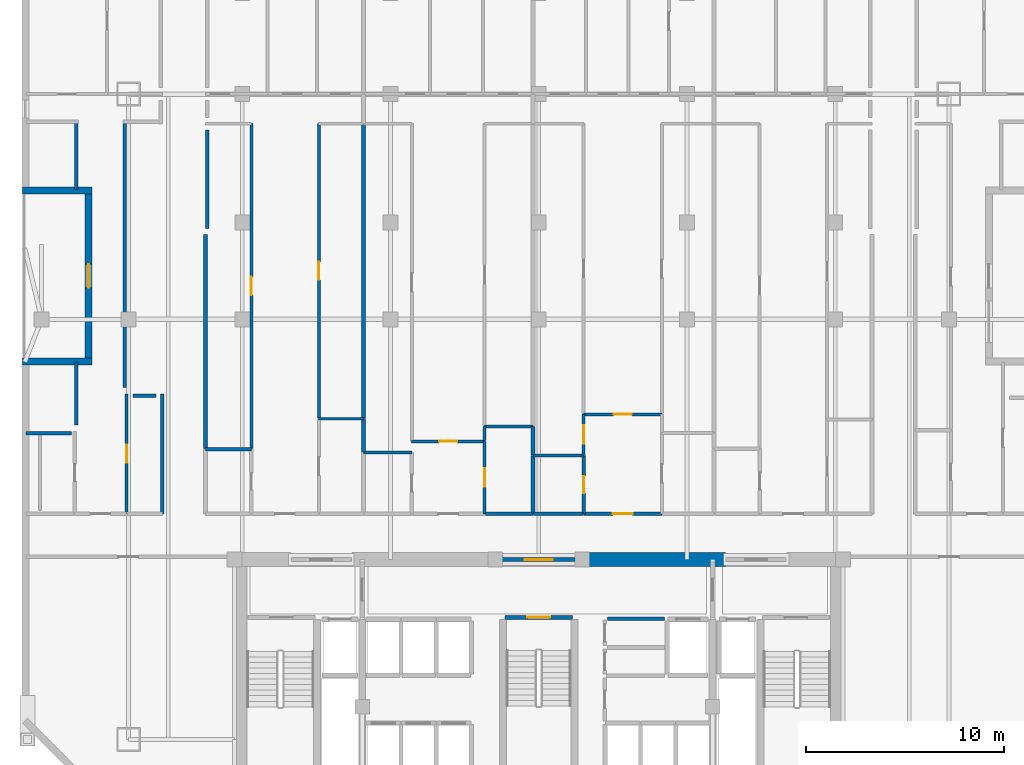
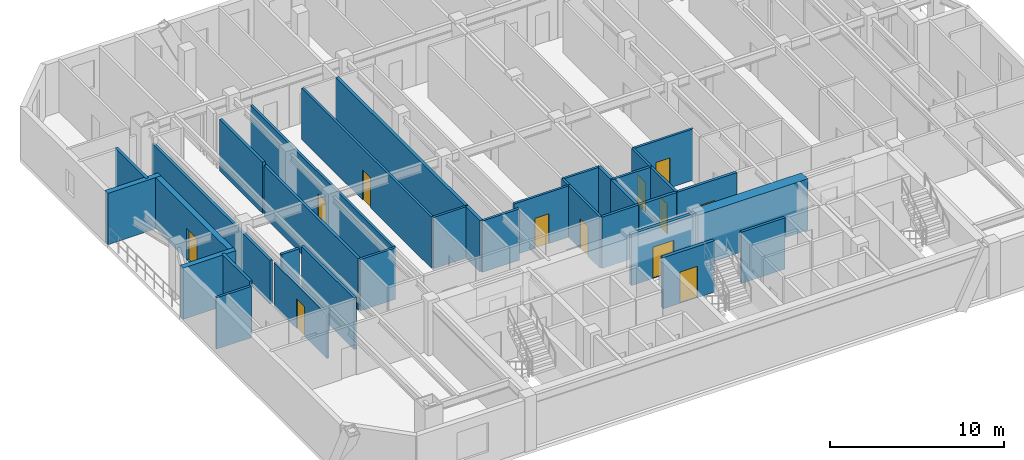
# One storey, part 4 of 11: 36 walls, 12 doors, 12 openings.
"""IFC4 building model written with IfcOpenShell, lengths in metres."""

from ifc_helpers import new_model, si_unit, direction, frame, frame_2d, origin, place, context, subcontext, project, spatial, rectangle, extrude, material, layer, layer_set, type_object, element, fill, save


model = new_model("IFC4")

# Units and contexts
model_context = context("Model", 3, precision=1e-05, world=origin(), true_north=direction((0.0, 1.0)))
body_context = subcontext(model_context, "Body", "Model", "MODEL_VIEW")
ifc_project = project(units=[si_unit("LENGTHUNIT", "METRE"), si_unit("AREAUNIT", "SQUARE_METRE"), si_unit("VOLUMEUNIT", "CUBIC_METRE"), si_unit("PLANEANGLEUNIT", "RADIAN"), si_unit("MASSUNIT", "GRAM", prefix="KILO")], contexts=[model_context])

# Site, building, storey
site_placement = place(None, origin())
site = spatial("IfcSite", under=ifc_project, at=site_placement, CompositionType="ELEMENT")
building_placement = place(site_placement, origin())
building = spatial("IfcBuilding", under=site, at=building_placement, Name="Ventersveld Concourse Tower", CompositionType="ELEMENT")
storey_placement = place(building_placement, frame((0.0, 0.0, 119.550048828125)))
storey = spatial("IfcBuildingStorey", under=building, at=storey_placement, Name="L29", CompositionType="ELEMENT", Elevation=119.550048828125)

# Walls
ifc_material_1 = material(Name="Concrete C60/75", Category="concrete")
ifc_layer_1 = layer(ifc_material_1, 0.699951171875)
ifc_layer_set_1 = layer_set([ifc_layer_1], Name="Concrete C60/75")
wall_type_1 = type_object("IfcWallType", Name="WL-CORE-700", PredefinedType="SHEAR", material=ifc_layer_set_1)
wall_1_placement = place(storey_placement, frame((30.89990234375, 11.449951171875, 0.0), z_axis=(0.0, 0.0, 1.0), x_axis=(1.0, 0.0, 0.0)))
element("IfcWall", 1, at=wall_1_placement, inside=storey, type_object=wall_type_1, Name="L29 Rear Core North Shear Wall NMR", PredefinedType="SHEAR", context=body_context, shape_type="SweptSolid", body=[
    extrude(rectangle(XDim=7.300048828125, YDim=0.699951171875, at=frame_2d((3.64990234375, 0.0))), origin(), (0.0, 0.0, 1.0), 3.599853515625),
])
ifc_material_2 = material(Name="Fire-rated autoclaved aerated masonry blockwork", Category="masonry")
ifc_layer_2 = layer(ifc_material_2, 0.179931640625)
ifc_layer_set_2 = layer_set([ifc_layer_2], Name="Fire-rated autoclaved aerated masonry blockwork")
wall_type_2 = type_object("IfcWallType", Name="WL-CORR-180", PredefinedType="PARTITIONING", material=ifc_layer_set_2)
wall_2_placement = place(storey_placement, frame((32.219970703125, 8.4599609375, 0.0), z_axis=(0.0, 0.0, 1.0), x_axis=(1.0, 0.0, 0.0)))
element("IfcWall", 2, at=wall_2_placement, inside=storey, type_object=wall_type_2, Name="L29 Core Top Wall SP-L29-CBAY1N", PredefinedType="PARTITIONING", context=body_context, shape_type="SweptSolid", body=[
    extrude(rectangle(XDim=2.880126953125, YDim=0.179931640625, at=frame_2d((1.43994140625, 0.0))), origin(), (0.0, 0.0, 1.0), 3.599853515625),
])
wall_3_placement = place(storey_placement, frame((9.7099609375, 13.764892578125, 0.0), z_axis=(0.0, 0.0, 1.0), x_axis=(0.0, 1.0, 0.0)))
element("IfcWall", 3, at=wall_3_placement, inside=storey, type_object=wall_type_2, Name="L29 Interior Partition SP-L29-COR-SP-L29-29NW-KIT", PredefinedType="PARTITIONING", context=body_context, shape_type="SweptSolid", body=[
    extrude(rectangle(XDim=6.064208984375, YDim=0.179931640625, at=frame_2d((3.0322265625, 0.0))), origin(), (0.0, 0.0, 1.0), 3.599853515625),
])
wall_4_placement = place(storey_placement, frame((11.889892578125, 17.067626953125, 0.0), z_axis=(0.0, 0.0, 1.0), x_axis=(0.0, 1.0, 0.0)))
element("IfcWall", 4, at=wall_4_placement, inside=storey, type_object=wall_type_2, Name="L29 Interior Partition SP-L29-COR-SP-L29-29N1-OFFL0", PredefinedType="PARTITIONING", context=body_context, shape_type="SweptSolid", body=[
    extrude(rectangle(XDim=10.827392578125, YDim=0.179931640625, at=frame_2d((5.41357421875, 0.0))), origin(), (0.0, 0.0, 1.0), 3.599853515625),
])
wall_5_placement = place(storey_placement, frame((26.0439453125, 13.77001953125, 0.0), z_axis=(0.0, 0.0, 1.0), x_axis=(1.0, 0.0, 0.0)))
element("IfcWall", 5, at=wall_5_placement, inside=storey, type_object=wall_type_2, Name="L29 Interior Partition SP-L29-COR-SP-L29-29N2-KIT", PredefinedType="PARTITIONING", context=body_context, shape_type="SweptSolid", body=[
    extrude(rectangle(XDim=2.417236328125, YDim=0.179931640625, at=frame_2d((1.20849609375, 0.0))), origin(), (0.0, 0.0, 1.0), 3.599853515625),
])

# Wall, opening, door
wall_6_placement = place(storey_placement, frame((31.01953125, 13.77001953125, 0.0), z_axis=(0.0, 0.0, 1.0), x_axis=(1.0, 0.0, 0.0)))
wall_6 = element("IfcWall", 6, at=wall_6_placement, inside=storey, type_object=wall_type_2, Name="L29 Interior Partition SP-L29-COR-SP-L29-29N3-FOY", PredefinedType="PARTITIONING", context=body_context, shape_type="SweptSolid", body=[
    extrude(rectangle(XDim=3.963134765625, YDim=0.179931640625, at=frame_2d((1.9814453125, 0.0))), origin(), (0.0, 0.0, 1.0), 3.599853515625),
])
opening_1_placement = place(wall_6_placement, frame((1.4814453125, 0.0, 0.0)))
opening_1 = element("IfcOpeningElement", 7, at=opening_1_placement, cuts=wall_6, Name="Opening FD3", PredefinedType="OPENING", context=body_context, shape_type="SweptSolid", body=[
    extrude(rectangle(XDim=1.0, YDim=2.14990234375, at=frame_2d((0.5, 1.074951171875))), frame((0.0, 0.10009765625, 0.0), z_axis=(0.0, -1.0, 0.0), x_axis=(1.0, 0.0, 0.0)), (0.0, 0.0, 1.0), 0.199951171875),
])
ifc_material_3 = material(Name="Solid-core hardwood veneer timber", Category="wood")
door_type_1 = type_object("IfcDoorType", Name="DR-FLAT-100", OperationType="NOTDEFINED", PredefinedType="DOOR", material=ifc_material_3)
door_1_placement = place(opening_1_placement, origin())
door_1 = element("IfcDoor", 8, at=door_1_placement, inside=storey, type_object=door_type_1, Name="L29 Interior Door SP-L29-COR to SP-L29-29N3-FOY (FD-L29-1436)", OperationType="SINGLE_SWING_RIGHT", OverallHeight=2.14990234375, OverallWidth=1.0, PredefinedType="DOOR", context=body_context, shape_type="SweptSolid", body=[
    extrude(rectangle(XDim=1.0, YDim=2.14990234375, at=frame_2d((0.5, 1.074951171875))), frame((0.0, 0.02490234375, 0.0), z_axis=(0.0, -1.0, 0.0), x_axis=(1.0, 0.0, 0.0)), (0.0, 0.0, 1.0), 0.050048828125),
])
fill(opening_1, door_1)

# Walls
wall_7_placement = place(storey_placement, frame((28.4912109375, 13.77001953125, 0.0), z_axis=(0.0, 0.0, 1.0), x_axis=(1.0, 0.0, 0.0)))
element("IfcWall", 9, at=wall_7_placement, inside=storey, type_object=wall_type_2, Name="L29 Interior Partition SP-L29-COR-SP-L29-29N3-BATH", PredefinedType="PARTITIONING", context=body_context, shape_type="SweptSolid", body=[
    extrude(rectangle(XDim=2.498291015625, YDim=0.179931640625, at=frame_2d((1.2490234375, 0.0))), origin(), (0.0, 0.0, 1.0), 3.599853515625),
])
wall_8_placement = place(storey_placement, frame((5.359619140625, 18.24658203125, 0.0), z_axis=(0.0, 0.0, 1.0), x_axis=(0.0, 1.0, 0.0)))
element("IfcWall", 10, at=wall_8_placement, inside=storey, type_object=wall_type_2, Name="L29 Room Enclosure Wall SP-L29-29NW-LIV", PredefinedType="PARTITIONING", context=body_context, shape_type="SweptSolid", body=[
    extrude(rectangle(XDim=3.193359375, YDim=0.179931640625, at=frame_2d((1.5966796875, 0.0))), origin(), (0.0, 0.0, 1.0), 3.599853515625),
])
wall_9_placement = place(storey_placement, frame((5.359619140625, 30.159912109375, 0.0), z_axis=(0.0, 0.0, 1.0), x_axis=(0.0, 1.0, 0.0)))
element("IfcWall", 11, at=wall_9_placement, inside=storey, type_object=wall_type_2, Name="L29 Room Enclosure Wall SP-L29-29NW-LIV", PredefinedType="PARTITIONING", context=body_context, shape_type="SweptSolid", body=[
    extrude(rectangle(XDim=3.525146484375, YDim=0.179931640625, at=frame_2d((1.7626953125, 0.0))), origin(), (0.0, 0.0, 1.0), 3.599853515625),
])
wall_10_placement = place(storey_placement, frame((7.8056640625, 33.68505859375, 0.0), z_axis=(0.0, 0.0, 1.0), x_axis=(0.0, -1.0, 0.0)))
element("IfcWall", 12, at=wall_10_placement, inside=storey, type_object=wall_type_2, Name="L29 Room Enclosure Wall SP-L29-29NW-LIV", PredefinedType="PARTITIONING", context=body_context, shape_type="SweptSolid", body=[
    extrude(rectangle(XDim=13.541015625, YDim=0.179931640625, at=frame_2d((6.7705078125, 0.0))), origin(), (0.0, 0.0, 1.0), 3.055419921875),
])
wall_11_placement = place(storey_placement, frame((8.220703125, 19.734130859375, 0.0), z_axis=(0.0, 0.0, 1.0), x_axis=(1.0, 0.0, 0.0)))
element("IfcWall", 13, at=wall_11_placement, inside=storey, type_object=wall_type_2, Name="L29 Room Enclosure Wall SP-L29-29NW-KIT", PredefinedType="PARTITIONING", context=body_context, shape_type="SweptSolid", body=[
    extrude(rectangle(XDim=1.164306640625, YDim=0.179931640625, at=frame_2d((0.58203125, 0.0))), origin(), (0.0, 0.0, 1.0), 3.599853515625),
])
wall_12_placement = place(storey_placement, frame((11.97998046875, 28.2099609375, 0.0), z_axis=(0.0, 0.0, 1.0), x_axis=(0.0, 1.0, 0.0)))
element("IfcWall", 14, at=wall_12_placement, inside=storey, type_object=wall_type_2, Name="L29 Room Enclosure Wall SP-L29-29N1-OFFL0", PredefinedType="PARTITIONING", context=body_context, shape_type="SweptSolid", body=[
    extrude(rectangle(XDim=4.965087890625, YDim=0.179931640625, at=frame_2d((2.482421875, 0.0))), origin(), (0.0, 0.0, 1.0), 3.599853515625),
])
ifc_layer_3 = layer(ifc_material_2, 0.199951171875)
ifc_layer_set_3 = layer_set([ifc_layer_3], Name="Fire-rated autoclaved aerated masonry blockwork")
wall_type_3 = type_object("IfcWallType", Name="WL-DEMISE-200", PredefinedType="PARTITIONING", material=ifc_layer_set_3)
wall_13_placement = place(storey_placement, frame((19.879150390625, 16.89599609375, 0.0), z_axis=(0.0, 0.0, 1.0), x_axis=(0.0, 1.0, 0.0)))
element("IfcWall", 15, at=wall_13_placement, inside=storey, type_object=wall_type_3, Name="L29 Interior Partition SP-L29-29N1-KIT-SP-L29-29N2-MEDL0", PredefinedType="PARTITIONING", context=body_context, shape_type="SweptSolid", body=[
    extrude(rectangle(XDim=1.683349609375, YDim=0.199951171875, at=frame_2d((0.841796875, 0.0))), origin(), (0.0, 0.0, 1.0), 3.599853515625),
])
wall_14_placement = place(storey_placement, frame((19.879150390625, 18.609375, 0.0), z_axis=(0.0, 0.0, 1.0), x_axis=(0.0, 1.0, 0.0)))
element("IfcWall", 16, at=wall_14_placement, inside=storey, type_object=wall_type_3, Name="L29 Interior Partition SP-L29-29N1-DENR-SP-L29-29N2-MEDL0", PredefinedType="PARTITIONING", context=body_context, shape_type="SweptSolid", body=[
    extrude(rectangle(XDim=14.855712890625, YDim=0.199951171875, at=frame_2d((7.427734375, 0.0))), origin(), (0.0, 0.0, 1.0), 3.599853515625),
])
wall_15_placement = place(storey_placement, frame((28.4560546875, 13.764892578125, 0.0), z_axis=(0.0, 0.0, 1.0), x_axis=(0.0, 1.0, 0.0)))
element("IfcWall", 17, at=wall_15_placement, inside=storey, type_object=wall_type_3, Name="L29 Interior Partition SP-L29-29N2-KIT-SP-L29-29N3-BATH", PredefinedType="PARTITIONING", context=body_context, shape_type="SweptSolid", body=[
    extrude(rectangle(XDim=2.953369140625, YDim=0.199951171875, at=frame_2d((1.4765625, 0.0))), origin(), (0.0, 0.0, 1.0), 3.599853515625),
])
wall_16_placement = place(storey_placement, frame((28.4560546875, 16.748291015625, 0.0), z_axis=(0.0, 0.0, 1.0), x_axis=(0.0, 1.0, 0.0)))
element("IfcWall", 18, at=wall_16_placement, inside=storey, type_object=wall_type_3, Name="L29 Interior Partition SP-L29-29N2-KIT-SP-L29-29N3-MEDL0", PredefinedType="PARTITIONING", context=body_context, shape_type="SweptSolid", body=[
    extrude(rectangle(XDim=1.441162109375, YDim=0.199951171875, at=frame_2d((0.720703125, 0.0))), origin(), (0.0, 0.0, 1.0), 3.599853515625),
])

# Wall, opening, door
ifc_layer_4 = layer(ifc_material_2, 0.219970703125)
ifc_layer_set_4 = layer_set([ifc_layer_4], Name="Fire-rated autoclaved aerated masonry blockwork")
wall_type_4 = type_object("IfcWallType", Name="WL-HOIST-220", PredefinedType="SOLIDWALL", material=ifc_layer_set_4)
wall_17_placement = place(storey_placement, frame((27.0400390625, 8.52001953125, 0.0), z_axis=(0.0, 0.0, 1.0), x_axis=(1.0, 0.0, 0.0)))
wall_17 = element("IfcWall", 19, at=wall_17_placement, inside=storey, type_object=wall_type_4, Name="L29 Escape Stair ST03 Fire Wall", PredefinedType="SOLIDWALL", context=body_context, shape_type="SweptSolid", body=[
    extrude(rectangle(XDim=3.419921875, YDim=0.219970703125, at=frame_2d((1.7099609375, 0.0))), origin(), (0.0, 0.0, 1.0), 3.599853515625),
])
opening_2_placement = place(wall_17_placement, frame((1.135009765625, 0.0, 0.0)))
opening_2 = element("IfcOpeningElement", 20, at=opening_2_placement, cuts=wall_17, Name="Opening FD1", PredefinedType="OPENING", context=body_context, shape_type="SweptSolid", body=[
    extrude(rectangle(XDim=1.14990234375, YDim=2.199951171875, at=frame_2d((0.574951171875, 1.10009765625))), frame((0.0, 0.1201171875, 0.0), z_axis=(0.0, -1.0, 0.0), x_axis=(1.0, 0.0, 0.0)), (0.0, 0.0, 1.0), 0.239990234375),
])
ifc_material_4 = material(Name="Galvanised painted steel", Category="steel")
door_type_2 = type_object("IfcDoorType", Name="DR-STAIR-115", OperationType="NOTDEFINED", PredefinedType="DOOR", material=ifc_material_4)
door_2_placement = place(opening_2_placement, origin())
door_2 = element("IfcDoor", 21, at=door_2_placement, inside=storey, type_object=door_type_2, Name="L29 Escape Stair Door ST03 (SD-L29-1421)", OperationType="SINGLE_SWING_LEFT", OverallHeight=2.199951171875, OverallWidth=1.14990234375, PredefinedType="DOOR", context=body_context, shape_type="SweptSolid", body=[
    extrude(rectangle(XDim=1.14990234375, YDim=2.199951171875, at=frame_2d((0.574951171875, 1.10009765625))), frame((0.0, 0.02490234375, 0.0), z_axis=(0.0, -1.0, 0.0), x_axis=(1.0, 0.0, 0.0)), (0.0, 0.0, 1.0), 0.050048828125),
])
fill(opening_2, door_2)

wall_18_placement = place(storey_placement, frame((26.6298828125, 11.449951171875, 0.0), z_axis=(0.0, 0.0, 1.0), x_axis=(1.0, 0.0, 0.0)))
wall_18 = element("IfcWall", 22, at=wall_18_placement, inside=storey, type_object=wall_type_4, Name="L29 Core North Fire Portal PLOB-OUT", PredefinedType="SOLIDWALL", context=body_context, shape_type="SweptSolid", body=[
    extrude(rectangle(XDim=4.240234375, YDim=0.219970703125, at=frame_2d((2.1201171875, 0.0))), origin(), (0.0, 0.0, 1.0), 3.599853515625),
])
opening_3_placement = place(wall_18_placement, frame((1.419921875, 0.0, 0.0)))
opening_3 = element("IfcOpeningElement", 23, at=opening_3_placement, cuts=wall_18, Name="Opening FD4", PredefinedType="OPENING", context=body_context, shape_type="SweptSolid", body=[
    extrude(rectangle(XDim=1.39990234375, YDim=2.199951171875, at=frame_2d((0.699951171875, 1.10009765625))), frame((0.0, 0.1201171875, 0.0), z_axis=(0.0, -1.0, 0.0), x_axis=(1.0, 0.0, 0.0)), (0.0, 0.0, 1.0), 0.239990234375),
])
door_type_3 = type_object("IfcDoorType", Name="DR-PLANT-140", OperationType="DOUBLE_DOOR_SINGLE_SWING", PredefinedType="DOOR", material=ifc_material_4)
door_3_placement = place(opening_3_placement, origin())
door_3 = element("IfcDoor", 24, at=door_3_placement, inside=storey, type_object=door_type_3, Name="L29 Core Lobby Fire Door PLOB-OUT (FD-L29-1425)", OperationType="DOUBLE_DOOR_SINGLE_SWING", OverallHeight=2.199951171875, OverallWidth=1.39990234375, PredefinedType="DOOR", context=body_context, shape_type="SweptSolid", body=[
    extrude(rectangle(XDim=1.39990234375, YDim=2.199951171875, at=frame_2d((0.699951171875, 1.10009765625))), frame((0.0, 0.02490234375, 0.0), z_axis=(0.0, -1.0, 0.0), x_axis=(1.0, 0.0, 0.0)), (0.0, 0.0, 1.0), 0.050048828125),
])
fill(opening_3, door_3)

ifc_material_5 = material(Name="Autoclaved aerated masonry blockwork", Category="masonry")
ifc_layer_5 = layer(ifc_material_5, 0.14990234375)
ifc_layer_set_5 = layer_set([ifc_layer_5], Name="Autoclaved aerated masonry blockwork")
wall_type_5 = type_object("IfcWallType", Name="WL-INT-150", PredefinedType="PARTITIONING", material=ifc_layer_set_5)
wall_19_placement = place(storey_placement, frame((7.895751953125, 13.764892578125, 0.0), z_axis=(0.0, 0.0, 1.0), x_axis=(0.0, 1.0, 0.0)))
wall_19 = element("IfcWall", 25, at=wall_19_placement, inside=storey, type_object=wall_type_5, Name="L29 Interior Partition SP-L29-29NW-LIV-SP-L29-29NW-KIT", PredefinedType="PARTITIONING", context=body_context, shape_type="SweptSolid", body=[
    extrude(rectangle(XDim=6.064208984375, YDim=0.14990234375, at=frame_2d((3.0322265625, 0.0))), origin(), (0.0, 0.0, 1.0), 3.055419921875),
])
opening_4_placement = place(wall_19_placement, frame((2.572021484375, 0.0, 0.0)))
opening_4 = element("IfcOpeningElement", 26, at=opening_4_placement, cuts=wall_19, Name="Opening ID1", PredefinedType="OPENING", context=body_context, shape_type="SweptSolid", body=[
    extrude(rectangle(XDim=0.919921875, YDim=2.10009765625, at=frame_2d((0.4599609375, 1.050048828125))), frame((0.0, 0.0849609375, 0.0), z_axis=(0.0, -1.0, 0.0), x_axis=(1.0, 0.0, 0.0)), (0.0, 0.0, 1.0), 0.169921875),
])
door_type_4 = type_object("IfcDoorType", Name="DR-ROOM-092", OperationType="NOTDEFINED", PredefinedType="DOOR", material=ifc_material_3)
door_4_placement = place(opening_4_placement, origin())
door_4 = element("IfcDoor", 27, at=door_4_placement, inside=storey, type_object=door_type_4, Name="L29 Interior Door SP-L29-29NW-LIV to SP-L29-29NW-KIT (D-L29-1439)", OperationType="SINGLE_SWING_LEFT", OverallHeight=2.10009765625, OverallWidth=0.919921875, PredefinedType="DOOR", context=body_context, shape_type="SweptSolid", body=[
    extrude(rectangle(XDim=0.919921875, YDim=2.10009765625, at=frame_2d((0.4599609375, 1.050048828125))), frame((0.0, 0.02490234375, 0.0), z_axis=(0.0, -1.0, 0.0), x_axis=(1.0, 0.0, 0.0)), (0.0, 0.0, 1.0), 0.050048828125),
])
fill(opening_4, door_4)

wall_20_placement = place(storey_placement, frame((14.2109375, 17.067626953125, 0.0), z_axis=(0.0, 0.0, 1.0), x_axis=(0.0, 1.0, 0.0)))
wall_20 = element("IfcWall", 28, at=wall_20_placement, inside=storey, type_object=wall_type_5, Name="L29 Interior Partition SP-L29-29N1-LIV-SP-L29-29N1-OFFL0", PredefinedType="PARTITIONING", context=body_context, shape_type="SweptSolid", body=[
    extrude(rectangle(XDim=16.437255859375, YDim=0.14990234375, at=frame_2d((8.21875, 0.0))), origin(), (0.0, 0.0, 1.0), 3.599853515625),
])
opening_5_placement = place(wall_20_placement, frame((7.7587890625, 0.0, 0.0)))
opening_5 = element("IfcOpeningElement", 29, at=opening_5_placement, cuts=wall_20, Name="Opening ID1", PredefinedType="OPENING", context=body_context, shape_type="SweptSolid", body=[
    extrude(rectangle(XDim=0.919921875, YDim=2.10009765625, at=frame_2d((0.4599609375, 1.050048828125))), frame((0.0, 0.0849609375, 0.0), z_axis=(0.0, -1.0, 0.0), x_axis=(1.0, 0.0, 0.0)), (0.0, 0.0, 1.0), 0.169921875),
])
door_5_placement = place(opening_5_placement, origin())
door_5 = element("IfcDoor", 30, at=door_5_placement, inside=storey, type_object=door_type_4, Name="L29 Interior Door SP-L29-29N1-LIV to SP-L29-29N1-OFFL0 (D-L29-1448)", OperationType="SINGLE_SWING_RIGHT", OverallHeight=2.10009765625, OverallWidth=0.919921875, PredefinedType="DOOR", context=body_context, shape_type="SweptSolid", body=[
    extrude(rectangle(XDim=0.919921875, YDim=2.10009765625, at=frame_2d((0.4599609375, 1.050048828125))), frame((0.0, 0.02490234375, 0.0), z_axis=(0.0, -1.0, 0.0), x_axis=(1.0, 0.0, 0.0)), (0.0, 0.0, 1.0), 0.050048828125),
])
fill(opening_5, door_5)

wall_21_placement = place(storey_placement, frame((17.623291015625, 18.609375, 0.0), z_axis=(0.0, 0.0, 1.0), x_axis=(0.0, 1.0, 0.0)))
wall_21 = element("IfcWall", 31, at=wall_21_placement, inside=storey, type_object=wall_type_5, Name="L29 Interior Partition SP-L29-29N1-LIV-SP-L29-29N1-DENR", PredefinedType="PARTITIONING", context=body_context, shape_type="SweptSolid", body=[
    extrude(rectangle(XDim=14.8955078125, YDim=0.14990234375, at=frame_2d((7.44775390625, 0.0))), origin(), (0.0, 0.0, 1.0), 3.599853515625),
])
opening_6_placement = place(wall_21_placement, frame((6.98779296875, 0.0, 0.0)))
opening_6 = element("IfcOpeningElement", 32, at=opening_6_placement, cuts=wall_21, Name="Opening ID1", PredefinedType="OPENING", context=body_context, shape_type="SweptSolid", body=[
    extrude(rectangle(XDim=0.919921875, YDim=2.10009765625, at=frame_2d((0.4599609375, 1.050048828125))), frame((0.0, 0.0849609375, 0.0), z_axis=(0.0, -1.0, 0.0), x_axis=(1.0, 0.0, 0.0)), (0.0, 0.0, 1.0), 0.169921875),
])
door_6_placement = place(opening_6_placement, origin())
door_6 = element("IfcDoor", 33, at=door_6_placement, inside=storey, type_object=door_type_4, Name="L29 Interior Door SP-L29-29N1-LIV to SP-L29-29N1-DENR (D-L29-1450)", OperationType="SINGLE_SWING_RIGHT", OverallHeight=2.10009765625, OverallWidth=0.919921875, PredefinedType="DOOR", context=body_context, shape_type="SweptSolid", body=[
    extrude(rectangle(XDim=0.919921875, YDim=2.10009765625, at=frame_2d((0.4599609375, 1.050048828125))), frame((0.0, 0.02490234375, 0.0), z_axis=(0.0, -1.0, 0.0), x_axis=(1.0, 0.0, 0.0)), (0.0, 0.0, 1.0), 0.050048828125),
])
fill(opening_6, door_6)

# Wall
wall_22_placement = place(storey_placement, frame((17.6181640625, 18.57421875, 0.0), z_axis=(0.0, 0.0, 1.0), x_axis=(1.0, 0.0, 0.0)))
element("IfcWall", 34, at=wall_22_placement, inside=storey, type_object=wall_type_5, Name="L29 Interior Partition SP-L29-29N1-KIT-SP-L29-29N1-DENR", PredefinedType="PARTITIONING", context=body_context, shape_type="SweptSolid", body=[
    extrude(rectangle(XDim=2.26611328125, YDim=0.14990234375, at=frame_2d((1.133056640625, 0.0))), origin(), (0.0, 0.0, 1.0), 3.599853515625),
])

# Wall, opening, door
wall_23_placement = place(storey_placement, frame((22.3212890625, 17.430419921875, 0.0), z_axis=(0.0, 0.0, 1.0), x_axis=(1.0, 0.0, 0.0)))
wall_23 = element("IfcWall", 35, at=wall_23_placement, inside=storey, type_object=wall_type_5, Name="L29 Interior Partition SP-L29-29N2-FOY-SP-L29-29N2-LIV", PredefinedType="PARTITIONING", context=body_context, shape_type="SweptSolid", body=[
    extrude(rectangle(XDim=3.692626953125, YDim=0.14990234375, at=frame_2d((1.84619140625, 0.0))), origin(), (0.0, 0.0, 1.0), 3.599853515625),
])
opening_7_placement = place(wall_23_placement, frame((1.38623046875, 0.0, 0.0)))
opening_7 = element("IfcOpeningElement", 36, at=opening_7_placement, cuts=wall_23, Name="Opening ID1", PredefinedType="OPENING", context=body_context, shape_type="SweptSolid", body=[
    extrude(rectangle(XDim=0.919921875, YDim=2.10009765625, at=frame_2d((0.4599609375, 1.050048828125))), frame((0.0, 0.0849609375, 0.0), z_axis=(0.0, -1.0, 0.0), x_axis=(1.0, 0.0, 0.0)), (0.0, 0.0, 1.0), 0.169921875),
])
door_7_placement = place(opening_7_placement, origin())
door_7 = element("IfcDoor", 37, at=door_7_placement, inside=storey, type_object=door_type_4, Name="L29 Interior Door SP-L29-29N2-FOY to SP-L29-29N2-LIV (D-L29-1454)", OperationType="SINGLE_SWING_RIGHT", OverallHeight=2.10009765625, OverallWidth=0.919921875, PredefinedType="DOOR", context=body_context, shape_type="SweptSolid", body=[
    extrude(rectangle(XDim=0.919921875, YDim=2.10009765625, at=frame_2d((0.4599609375, 1.050048828125))), frame((0.0, 0.02490234375, 0.0), z_axis=(0.0, -1.0, 0.0), x_axis=(1.0, 0.0, 0.0)), (0.0, 0.0, 1.0), 0.050048828125),
])
fill(opening_7, door_7)

wall_24_placement = place(storey_placement, frame((26.009033203125, 13.764892578125, 0.0), z_axis=(0.0, 0.0, 1.0), x_axis=(0.0, 1.0, 0.0)))
wall_24 = element("IfcWall", 38, at=wall_24_placement, inside=storey, type_object=wall_type_5, Name="L29 Interior Partition SP-L29-29N2-FOY-SP-L29-29N2-KIT", PredefinedType="PARTITIONING", context=body_context, shape_type="SweptSolid", body=[
    extrude(rectangle(XDim=3.67041015625, YDim=0.14990234375, at=frame_2d((1.835205078125, 0.0))), origin(), (0.0, 0.0, 1.0), 3.599853515625),
])
opening_8_placement = place(wall_24_placement, frame((1.375244140625, 0.0, 0.0)))
opening_8 = element("IfcOpeningElement", 39, at=opening_8_placement, cuts=wall_24, Name="Opening ID1", PredefinedType="OPENING", context=body_context, shape_type="SweptSolid", body=[
    extrude(rectangle(XDim=0.919921875, YDim=2.10009765625, at=frame_2d((0.4599609375, 1.050048828125))), frame((0.0, 0.0849609375, 0.0), z_axis=(0.0, -1.0, 0.0), x_axis=(1.0, 0.0, 0.0)), (0.0, 0.0, 1.0), 0.169921875),
])
door_8_placement = place(opening_8_placement, origin())
door_8 = element("IfcDoor", 40, at=door_8_placement, inside=storey, type_object=door_type_4, Name="L29 Interior Door SP-L29-29N2-FOY to SP-L29-29N2-KIT (D-L29-1456)", OperationType="SINGLE_SWING_RIGHT", OverallHeight=2.10009765625, OverallWidth=0.919921875, PredefinedType="DOOR", context=body_context, shape_type="SweptSolid", body=[
    extrude(rectangle(XDim=0.919921875, YDim=2.10009765625, at=frame_2d((0.4599609375, 1.050048828125))), frame((0.0, 0.02490234375, 0.0), z_axis=(0.0, -1.0, 0.0), x_axis=(1.0, 0.0, 0.0)), (0.0, 0.0, 1.0), 0.050048828125),
])
fill(opening_8, door_8)

# Walls
wall_25_placement = place(storey_placement, frame((26.009033203125, 17.46533203125, 0.0), z_axis=(0.0, 0.0, 1.0), x_axis=(0.0, 1.0, 0.0)))
element("IfcWall", 41, at=wall_25_placement, inside=storey, type_object=wall_type_5, Name="L29 Interior Partition SP-L29-29N2-LIV-SP-L29-29N2-KIT", PredefinedType="PARTITIONING", context=body_context, shape_type="SweptSolid", body=[
    extrude(rectangle(XDim=0.72412109375, YDim=0.14990234375, at=frame_2d((0.362060546875, 0.0))), origin(), (0.0, 0.0, 1.0), 3.599853515625),
])
wall_26_placement = place(storey_placement, frame((26.00390625, 18.1845703125, 0.0), z_axis=(0.0, 0.0, 1.0), x_axis=(1.0, 0.0, 0.0)))
element("IfcWall", 42, at=wall_26_placement, inside=storey, type_object=wall_type_5, Name="L29 Interior Partition SP-L29-29N2-KIT-SP-L29-29N2-DENR", PredefinedType="PARTITIONING", context=body_context, shape_type="SweptSolid", body=[
    extrude(rectangle(XDim=2.457275390625, YDim=0.14990234375, at=frame_2d((1.228515625, 0.0))), origin(), (0.0, 0.0, 1.0), 3.599853515625),
])

# Wall, opening, door
wall_27_placement = place(storey_placement, frame((31.01953125, 18.800537109375, 0.0), z_axis=(0.0, 0.0, 1.0), x_axis=(1.0, 0.0, 0.0)))
wall_27 = element("IfcWall", 43, at=wall_27_placement, inside=storey, type_object=wall_type_5, Name="L29 Interior Partition SP-L29-29N3-FOY-SP-L29-29N3-LIV", PredefinedType="PARTITIONING", context=body_context, shape_type="SweptSolid", body=[
    extrude(rectangle(XDim=3.963134765625, YDim=0.14990234375, at=frame_2d((1.9814453125, 0.0))), origin(), (0.0, 0.0, 1.0), 3.599853515625),
])
opening_9_placement = place(wall_27_placement, frame((1.521484375, 0.0, 0.0)))
opening_9 = element("IfcOpeningElement", 44, at=opening_9_placement, cuts=wall_27, Name="Opening ID1", PredefinedType="OPENING", context=body_context, shape_type="SweptSolid", body=[
    extrude(rectangle(XDim=0.919921875, YDim=2.10009765625, at=frame_2d((0.4599609375, 1.050048828125))), frame((0.0, 0.0849609375, 0.0), z_axis=(0.0, -1.0, 0.0), x_axis=(1.0, 0.0, 0.0)), (0.0, 0.0, 1.0), 0.169921875),
])
door_9_placement = place(opening_9_placement, origin())
door_9 = element("IfcDoor", 45, at=door_9_placement, inside=storey, type_object=door_type_4, Name="L29 Interior Door SP-L29-29N3-FOY to SP-L29-29N3-LIV (D-L29-1462)", OperationType="SINGLE_SWING_RIGHT", OverallHeight=2.10009765625, OverallWidth=0.919921875, PredefinedType="DOOR", context=body_context, shape_type="SweptSolid", body=[
    extrude(rectangle(XDim=0.919921875, YDim=2.10009765625, at=frame_2d((0.4599609375, 1.050048828125))), frame((0.0, 0.02490234375, 0.0), z_axis=(0.0, -1.0, 0.0), x_axis=(1.0, 0.0, 0.0)), (0.0, 0.0, 1.0), 0.050048828125),
])
fill(opening_9, door_9)

wall_28_placement = place(storey_placement, frame((31.024658203125, 16.748291015625, 0.0), z_axis=(0.0, 0.0, 1.0), x_axis=(0.0, 1.0, 0.0)))
wall_28 = element("IfcWall", 46, at=wall_28_placement, inside=storey, type_object=wall_type_5, Name="L29 Interior Partition SP-L29-29N3-FOY-SP-L29-29N3-MEDL0", PredefinedType="PARTITIONING", context=body_context, shape_type="SweptSolid", body=[
    extrude(rectangle(XDim=2.05712890625, YDim=0.14990234375, at=frame_2d((1.028564453125, 0.0))), origin(), (0.0, 0.0, 1.0), 3.599853515625),
])
opening_10_placement = place(wall_28_placement, frame((0.568603515625, 0.0, 0.0)))
opening_10 = element("IfcOpeningElement", 47, at=opening_10_placement, cuts=wall_28, Name="Opening ID1", PredefinedType="OPENING", context=body_context, shape_type="SweptSolid", body=[
    extrude(rectangle(XDim=0.919921875, YDim=2.10009765625, at=frame_2d((0.4599609375, 1.050048828125))), frame((0.0, 0.0849609375, 0.0), z_axis=(0.0, -1.0, 0.0), x_axis=(1.0, 0.0, 0.0)), (0.0, 0.0, 1.0), 0.169921875),
])
door_10_placement = place(opening_10_placement, origin())
door_10 = element("IfcDoor", 48, at=door_10_placement, inside=storey, type_object=door_type_4, Name="L29 Interior Door SP-L29-29N3-FOY to SP-L29-29N3-MEDL0 (D-L29-1464)", OperationType="SINGLE_SWING_RIGHT", OverallHeight=2.10009765625, OverallWidth=0.919921875, PredefinedType="DOOR", context=body_context, shape_type="SweptSolid", body=[
    extrude(rectangle(XDim=0.919921875, YDim=2.10009765625, at=frame_2d((0.4599609375, 1.050048828125))), frame((0.0, 0.02490234375, 0.0), z_axis=(0.0, -1.0, 0.0), x_axis=(1.0, 0.0, 0.0)), (0.0, 0.0, 1.0), 0.050048828125),
])
fill(opening_10, door_10)

# Wall
ifc_material_6 = material(Name="Precast concrete C45/55", Category="concrete")
ifc_layer_6 = layer(ifc_material_6, 0.35009765625)
ifc_layer_set_6 = layer_set([ifc_layer_6], Name="Precast concrete C45/55")
wall_type_6 = type_object("IfcWallType", Name="WL-PREC-350", PredefinedType="SOLIDWALL", material=ifc_layer_set_6)
wall_29_placement = place(storey_placement, frame((2.639892578125, 30.125, 0.0), z_axis=(0.0, 0.0, 1.0), x_axis=(1.0, 0.0, 0.0)))
element("IfcWall", 49, at=wall_29_placement, inside=storey, type_object=wall_type_6, Name="L29 Highveld Precast Facade Wall E12", PredefinedType="SOLIDWALL", context=body_context, shape_type="SweptSolid", body=[
    extrude(rectangle(XDim=3.510009765625, YDim=0.35009765625, at=frame_2d((1.7548828125, 0.0))), origin(), (0.0, 0.0, 1.0), 3.599853515625),
])

# Wall, opening, door
wall_30_placement = place(storey_placement, frame((5.97509765625, 29.949951171875, 0.0), z_axis=(0.0, 0.0, 1.0), x_axis=(0.0, -1.0, 0.0)))
wall_30 = element("IfcWall", 50, at=wall_30_placement, inside=storey, type_object=wall_type_6, Name="L29 Highveld Precast Facade Wall E13", PredefinedType="SOLIDWALL", context=body_context, shape_type="SweptSolid", body=[
    extrude(rectangle(XDim=8.300048828125, YDim=0.35009765625, at=frame_2d((4.14990234375, 0.0))), origin(), (0.0, 0.0, 1.0), 3.599853515625),
])
opening_11_placement = place(wall_30_placement, frame((3.550048828125, 0.0, 0.0)))
opening_11 = element("IfcOpeningElement", 51, at=opening_11_placement, cuts=wall_30, Name="Opening TD1", PredefinedType="OPENING", context=body_context, shape_type="SweptSolid", body=[
    extrude(rectangle(XDim=1.199951171875, YDim=2.199951171875, at=frame_2d((0.60009765625, 1.10009765625))), frame((0.0, 0.18505859375, 0.0), z_axis=(0.0, -1.0, 0.0), x_axis=(1.0, 0.0, 0.0)), (0.0, 0.0, 1.0), 0.3701171875),
])
ifc_material_7 = material(Name="Anodised aluminium EN AW-6063-T6", Category="aluminium")
door_type_5 = type_object("IfcDoorType", Name="DR-TERR-120", OperationType="NOTDEFINED", PredefinedType="DOOR", material=ifc_material_7)
door_11_placement = place(opening_11_placement, frame((1.199951171875, 0.0, 0.0), z_axis=(0.0, 0.0, 1.0), x_axis=(-1.0, 0.0, 0.0)))
door_11 = element("IfcDoor", 52, at=door_11_placement, inside=storey, type_object=door_type_5, Name="L29 Stepped Valley Terrace Door TD-L29-01", OperationType="SINGLE_SWING_RIGHT", OverallHeight=2.199951171875, OverallWidth=1.199951171875, PredefinedType="DOOR", context=body_context, shape_type="SweptSolid", body=[
    extrude(rectangle(XDim=1.199951171875, YDim=2.199951171875, at=frame_2d((0.60009765625, 1.10009765625))), frame((0.0, 0.02490234375, 0.0), z_axis=(0.0, -1.0, 0.0), x_axis=(1.0, 0.0, 0.0)), (0.0, 0.0, 1.0), 0.050048828125),
])
fill(opening_11, door_11)

# Walls
wall_31_placement = place(storey_placement, frame((6.14990234375, 21.47509765625, 0.0), z_axis=(0.0, 0.0, 1.0), x_axis=(-1.0, 0.0, 0.0)))
element("IfcWall", 53, at=wall_31_placement, inside=storey, type_object=wall_type_6, Name="L29 Highveld Precast Facade Wall E14", PredefinedType="SOLIDWALL", context=body_context, shape_type="SweptSolid", body=[
    extrude(rectangle(XDim=3.510009765625, YDim=0.35009765625, at=frame_2d((1.7548828125, 0.0))), origin(), (0.0, 0.0, 1.0), 3.599853515625),
])
ifc_layer_7 = layer(ifc_material_5, 0.1650390625)
ifc_layer_set_7 = layer_set([ifc_layer_7], Name="Autoclaved aerated masonry blockwork")
wall_type_7 = type_object("IfcWallType", Name="WL-WET-165", PredefinedType="PLUMBINGWALL", material=ifc_layer_set_7)
wall_32_placement = place(storey_placement, frame((11.885009765625, 17.03271484375, 0.0), z_axis=(0.0, 0.0, 1.0), x_axis=(1.0, 0.0, 0.0)))
element("IfcWall", 54, at=wall_32_placement, inside=storey, type_object=wall_type_7, Name="L29 Interior Partition SP-L29-29N1-BATH-SP-L29-29N1-OFFL0", PredefinedType="PLUMBINGWALL", context=body_context, shape_type="SweptSolid", body=[
    extrude(rectangle(XDim=2.3310546875, YDim=0.1650390625, at=frame_2d((1.16552734375, 0.0))), origin(), (0.0, 0.0, 1.0), 3.599853515625),
])
wall_33_placement = place(storey_placement, frame((19.874267578125, 16.861083984375, 0.0), z_axis=(0.0, 0.0, 1.0), x_axis=(1.0, 0.0, 0.0)))
element("IfcWall", 55, at=wall_33_placement, inside=storey, type_object=wall_type_7, Name="L29 Interior Partition SP-L29-29N2-BATH-SP-L29-29N2-MEDL0", PredefinedType="PLUMBINGWALL", context=body_context, shape_type="SweptSolid", body=[
    extrude(rectangle(XDim=2.45703125, YDim=0.1650390625, at=frame_2d((1.228515625, 0.0))), origin(), (0.0, 0.0, 1.0), 3.599853515625),
])

# Wall, opening, door
wall_34_placement = place(storey_placement, frame((31.024658203125, 13.764892578125, 0.0), z_axis=(0.0, 0.0, 1.0), x_axis=(0.0, 1.0, 0.0)))
wall_34 = element("IfcWall", 56, at=wall_34_placement, inside=storey, type_object=wall_type_7, Name="L29 Interior Partition SP-L29-29N3-FOY-SP-L29-29N3-BATH", PredefinedType="PLUMBINGWALL", context=body_context, shape_type="SweptSolid", body=[
    extrude(rectangle(XDim=2.953369140625, YDim=0.1650390625, at=frame_2d((1.4765625, 0.0))), origin(), (0.0, 0.0, 1.0), 3.599853515625),
])
opening_12_placement = place(wall_34_placement, frame((1.051513671875, 0.0, 0.0)))
opening_12 = element("IfcOpeningElement", 57, at=opening_12_placement, cuts=wall_34, Name="Opening ID2", PredefinedType="OPENING", context=body_context, shape_type="SweptSolid", body=[
    extrude(rectangle(XDim=0.85009765625, YDim=2.10009765625, at=frame_2d((0.425048828125, 1.050048828125))), frame((0.0, 0.092529296875, 0.0), z_axis=(0.0, -1.0, 0.0), x_axis=(1.0, 0.0, 0.0)), (0.0, 0.0, 1.0), 0.18505859375),
])
door_type_6 = type_object("IfcDoorType", Name="DR-BATH-085", OperationType="NOTDEFINED", PredefinedType="DOOR", material=ifc_material_3)
door_12_placement = place(opening_12_placement, origin())
door_12 = element("IfcDoor", 58, at=door_12_placement, inside=storey, type_object=door_type_6, Name="L29 Interior Door SP-L29-29N3-FOY to SP-L29-29N3-BATH (D-L29-1463)", OperationType="SINGLE_SWING_LEFT", OverallHeight=2.10009765625, OverallWidth=0.85009765625, PredefinedType="DOOR", context=body_context, shape_type="SweptSolid", body=[
    extrude(rectangle(XDim=0.85009765625, YDim=2.10009765625, at=frame_2d((0.425048828125, 1.050048828125))), frame((0.0, 0.02490234375, 0.0), z_axis=(0.0, -1.0, 0.0), x_axis=(1.0, 0.0, 0.0)), (0.0, 0.0, 1.0), 0.050048828125),
])
fill(opening_12, door_12)

# Walls
wall_35_placement = place(storey_placement, frame((28.451171875, 16.713134765625, 0.0), z_axis=(0.0, 0.0, 1.0), x_axis=(1.0, 0.0, 0.0)))
element("IfcWall", 59, at=wall_35_placement, inside=storey, type_object=wall_type_7, Name="L29 Interior Partition SP-L29-29N3-BATH-SP-L29-29N3-MEDL0", PredefinedType="PLUMBINGWALL", context=body_context, shape_type="SweptSolid", body=[
    extrude(rectangle(XDim=2.578369140625, YDim=0.1650390625, at=frame_2d((1.2890625, 0.0))), origin(), (0.0, 0.0, 1.0), 3.599853515625),
])
wall_36_placement = place(storey_placement, frame((2.81005859375, 17.836669921875, 0.0), z_axis=(0.0, 0.0, 1.0), x_axis=(1.0, 0.0, 0.0)))
element("IfcWall", 60, at=wall_36_placement, inside=storey, type_object=wall_type_7, Name="L29 Room Enclosure Wall SP-L29-29NW-BATH", PredefinedType="PLUMBINGWALL", context=body_context, shape_type="SweptSolid", body=[
    extrude(rectangle(XDim=2.294677734375, YDim=0.1650390625, at=frame_2d((1.1474609375, 0.0))), origin(), (0.0, 0.0, 1.0), 3.599853515625),
])

save(model, "model.ifc")
